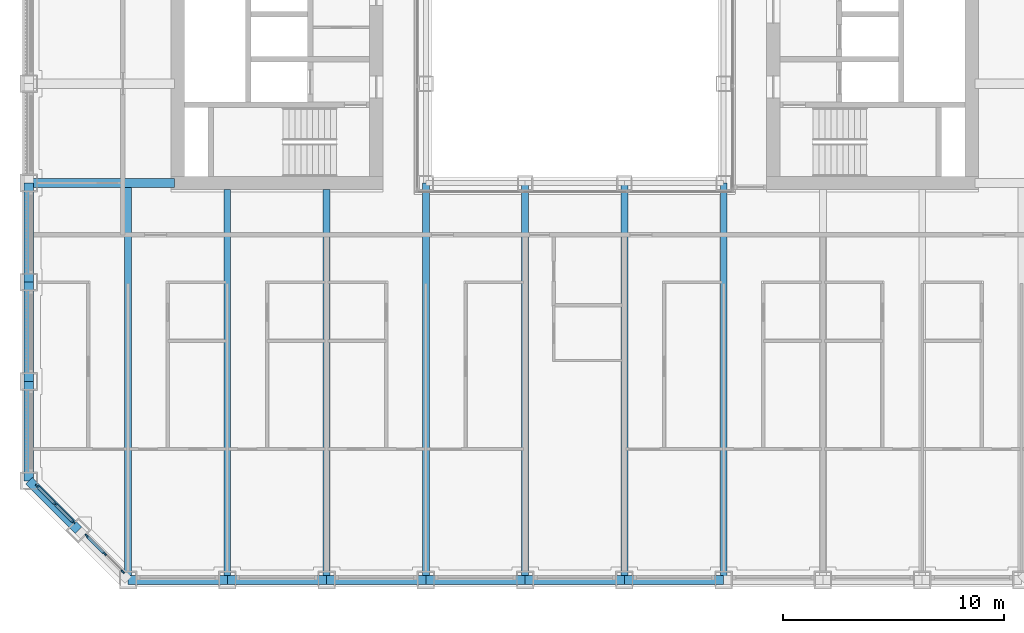
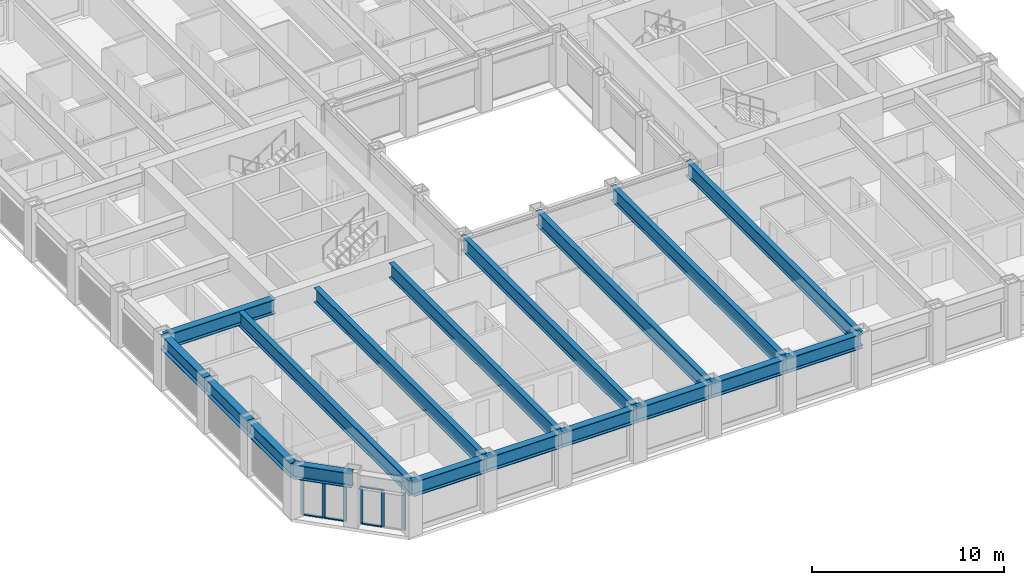
# One storey, part 2 of 21: 18 beams, 12 members, 2 elements without a shape of their own.
"""IFC4 building model written with IfcOpenShell, lengths in metres."""

from ifc_helpers import new_model, si_unit, direction, frame, origin, origin_2d, place, context, subcontext, project, spatial, rectangle, i_section, extrude, material, material_profile, profile_set, type_object, element, aggregate, save


model = new_model("IFC4")

# Units and contexts
model_context = context("Model", 3, precision=1e-05, world=origin(), true_north=direction((0.0, 1.0)))
body_context = subcontext(model_context, "Body", "Model", "MODEL_VIEW")
ifc_project = project(units=[si_unit("LENGTHUNIT", "METRE"), si_unit("AREAUNIT", "SQUARE_METRE"), si_unit("VOLUMEUNIT", "CUBIC_METRE"), si_unit("PLANEANGLEUNIT", "RADIAN"), si_unit("MASSUNIT", "GRAM", prefix="KILO")], contexts=[model_context])

# Site, building, storey
site_placement = place(None, origin())
site = spatial("IfcSite", under=ifc_project, at=site_placement, CompositionType="ELEMENT")
building_placement = place(site_placement, origin())
building = spatial("IfcBuilding", under=site, at=building_placement, Name="Msasa Ring Tower", CompositionType="ELEMENT")
storey_placement = place(building_placement, frame((0.0, 0.0, 72.0)))
storey = spatial("IfcBuildingStorey", under=building, at=storey_placement, Name="L18", CompositionType="ELEMENT", Elevation=72.0)

# Curtain wall, members
ifc_material_1 = material(Name="Aluminium curtain wall with clear glass", Category="aluminium")
curtain_wall_type = type_object("IfcCurtainWallType", Name="CW-C CHAMFER CORNER CURTAIN WALL", PredefinedType="NOTDEFINED", material=ifc_material_1)
curtain_wall_1_placement = place(storey_placement, origin())
curtain_wall_1 = element("IfcCurtainWall", 1, at=curtain_wall_1_placement, inside=storey, type_object=curtain_wall_type, Name="Chamfer corner curtain wall SW L18", PredefinedType="NOTDEFINED")
ifc_material_2 = material(Name="Aluminium mullion", Category="aluminium")
ifc_material_profile_1 = material_profile(ifc_material_2, rectangle(XDim=0.06494140625, YDim=0.179931640625, at=origin_2d()), Name="AL 65x180")
ifc_profile_set_1 = profile_set([ifc_material_profile_1], Name="Aluminium mullion")
member_type_1 = type_object("IfcMemberType", Name="CW-C MULLION 65x180", PredefinedType="MULLION", material=ifc_profile_set_1)
member_1_placement = place(storey_placement, frame((-24.369873046875, -20.48876953125, 0.0), z_axis=(0.0, 0.0, 1.0), x_axis=(0.707106781187, 0.707106781187, 0.0)))
member_1 = element("IfcMember", 2, at=member_1_placement, type_object=member_type_1, Name="CW-C mullion 1", PredefinedType="MULLION", context=body_context, shape_type="SweptSolid", body=[
    extrude(rectangle(XDim=0.06494140625, YDim=0.179931640625, at=origin_2d()), origin(), (0.0, 0.0, 1.0), 2.37890625),
])
member_2_placement = place(storey_placement, frame((-23.55419921875, -21.30419921875, 0.0), z_axis=(0.0, 0.0, 1.0), x_axis=(0.707106781187, 0.707106781187, 0.0)))
member_2 = element("IfcMember", 3, at=member_2_placement, type_object=member_type_1, Name="CW-C mullion 2", PredefinedType="MULLION", context=body_context, shape_type="SweptSolid", body=[
    extrude(rectangle(XDim=0.06494140625, YDim=0.179931640625, at=origin_2d()), origin(), (0.0, 0.0, 1.0), 2.37890625),
])
member_3_placement = place(storey_placement, frame((-22.73876953125, -22.119873046875, 0.0), z_axis=(0.0, 0.0, 1.0), x_axis=(0.707106781187, 0.707106781187, 0.0)))
member_3 = element("IfcMember", 4, at=member_3_placement, type_object=member_type_1, Name="CW-C mullion 3", PredefinedType="MULLION", context=body_context, shape_type="SweptSolid", body=[
    extrude(rectangle(XDim=0.06494140625, YDim=0.179931640625, at=origin_2d()), origin(), (0.0, 0.0, 1.0), 2.37890625),
])

curtain_wall_2_placement = place(storey_placement, origin())
curtain_wall_2 = element("IfcCurtainWall", 5, at=curtain_wall_2_placement, inside=storey, type_object=curtain_wall_type, Name="Chamfer corner curtain wall SW L18", PredefinedType="NOTDEFINED")
member_4_placement = place(storey_placement, frame((-22.119873046875, -22.73876953125, 0.0), z_axis=(0.0, 0.0, 1.0), x_axis=(0.707106781187, 0.707106781187, 0.0)))
member_4 = element("IfcMember", 6, at=member_4_placement, type_object=member_type_1, Name="CW-C mullion 1", PredefinedType="MULLION", context=body_context, shape_type="SweptSolid", body=[
    extrude(rectangle(XDim=0.06494140625, YDim=0.179931640625, at=origin_2d()), origin(), (0.0, 0.0, 1.0), 2.37890625),
])
member_5_placement = place(storey_placement, frame((-21.30419921875, -23.55419921875, 0.0), z_axis=(0.0, 0.0, 1.0), x_axis=(0.707106781187, 0.707106781187, 0.0)))
member_5 = element("IfcMember", 7, at=member_5_placement, type_object=member_type_1, Name="CW-C mullion 2", PredefinedType="MULLION", context=body_context, shape_type="SweptSolid", body=[
    extrude(rectangle(XDim=0.06494140625, YDim=0.179931640625, at=origin_2d()), origin(), (0.0, 0.0, 1.0), 2.37890625),
])
member_6_placement = place(storey_placement, frame((-20.48876953125, -24.369873046875, 0.0), z_axis=(0.0, 0.0, 1.0), x_axis=(0.707106781187, 0.707106781187, 0.0)))
member_6 = element("IfcMember", 8, at=member_6_placement, type_object=member_type_1, Name="CW-C mullion 3", PredefinedType="MULLION", context=body_context, shape_type="SweptSolid", body=[
    extrude(rectangle(XDim=0.06494140625, YDim=0.179931640625, at=origin_2d()), origin(), (0.0, 0.0, 1.0), 2.37890625),
])

# Member
ifc_material_3 = material(Name="Aluminium transom", Category="aluminium")
ifc_material_profile_2 = material_profile(ifc_material_3, rectangle(XDim=0.139892578125, YDim=0.06494140625, at=origin_2d()), Name="AL 65x140")
ifc_profile_set_2 = profile_set([ifc_material_profile_2], Name="Aluminium transom")
member_type_2 = type_object("IfcMemberType", Name="CW-C TRANSOM 65x140", PredefinedType="USERDEFINED", material=ifc_profile_set_2)
member_7_placement = place(storey_placement, frame((-24.346923828125, -20.51171875, 0.032470703125), z_axis=(0.707106781187, -0.707106781187, 0.0), x_axis=(0.707106781187, 0.707106781187, 0.0)))
member_7 = element("IfcMember", 9, at=member_7_placement, type_object=member_type_2, Name="CW-C transom 1.1", ObjectType="TRANSOM", PredefinedType="USERDEFINED", context=body_context, shape_type="SweptSolid", body=[
    extrude(rectangle(XDim=0.139892578125, YDim=0.06494140625, at=origin_2d()), origin(), (0.0, 0.0, 1.0), 1.08837890625),
])

member_8_placement = place(storey_placement, frame((-24.346923828125, -20.51171875, 2.346435546875), z_axis=(0.707106781187, -0.707106781187, 0.0), x_axis=(0.707106781187, 0.707106781187, 0.0)))
member_8 = element("IfcMember", 10, at=member_8_placement, type_object=member_type_2, Name="CW-C transom 1.2", ObjectType="TRANSOM", PredefinedType="USERDEFINED", context=body_context, shape_type="SweptSolid", body=[
    extrude(rectangle(XDim=0.139892578125, YDim=0.06494140625, at=origin_2d()), origin(), (0.0, 0.0, 1.0), 1.08837890625),
])

member_9_placement = place(storey_placement, frame((-23.53125, -21.327392578125, 0.032470703125), z_axis=(0.707106781187, -0.707106781187, 0.0), x_axis=(0.707106781187, 0.707106781187, 0.0)))
member_9 = element("IfcMember", 11, at=member_9_placement, type_object=member_type_2, Name="CW-C transom 2.1", ObjectType="TRANSOM", PredefinedType="USERDEFINED", context=body_context, shape_type="SweptSolid", body=[
    extrude(rectangle(XDim=0.139892578125, YDim=0.06494140625, at=origin_2d()), origin(), (0.0, 0.0, 1.0), 1.08837890625),
])

member_10_placement = place(storey_placement, frame((-23.53125, -21.327392578125, 2.346435546875), z_axis=(0.707106781187, -0.707106781187, 0.0), x_axis=(0.707106781187, 0.707106781187, 0.0)))
member_10 = element("IfcMember", 12, at=member_10_placement, type_object=member_type_2, Name="CW-C transom 2.2", ObjectType="TRANSOM", PredefinedType="USERDEFINED", context=body_context, shape_type="SweptSolid", body=[
    extrude(rectangle(XDim=0.139892578125, YDim=0.06494140625, at=origin_2d()), origin(), (0.0, 0.0, 1.0), 1.08837890625),
])

aggregate(curtain_wall_1, [member_1, member_2, member_3, member_7, member_8, member_9, member_10])

member_11_placement = place(storey_placement, frame((-22.096923828125, -22.76171875, 0.032470703125), z_axis=(0.707106781187, -0.707106781187, 0.0), x_axis=(0.707106781187, 0.707106781187, 0.0)))
member_11 = element("IfcMember", 13, at=member_11_placement, type_object=member_type_2, Name="CW-C transom 1.1", ObjectType="TRANSOM", PredefinedType="USERDEFINED", context=body_context, shape_type="SweptSolid", body=[
    extrude(rectangle(XDim=0.139892578125, YDim=0.06494140625, at=origin_2d()), origin(), (0.0, 0.0, 1.0), 1.08837890625),
])

member_12_placement = place(storey_placement, frame((-22.096923828125, -22.76171875, 2.346435546875), z_axis=(0.707106781187, -0.707106781187, 0.0), x_axis=(0.707106781187, 0.707106781187, 0.0)))
member_12 = element("IfcMember", 14, at=member_12_placement, type_object=member_type_2, Name="CW-C transom 1.2", ObjectType="TRANSOM", PredefinedType="USERDEFINED", context=body_context, shape_type="SweptSolid", body=[
    extrude(rectangle(XDim=0.139892578125, YDim=0.06494140625, at=origin_2d()), origin(), (0.0, 0.0, 1.0), 1.08837890625),
])

aggregate(curtain_wall_2, [member_4, member_5, member_6, member_11, member_12])

# Beams
ifc_material_4 = material(Name="Steel S355", Category="steel")
ifc_material_profile_3 = material_profile(ifc_material_4, i_section(OverallWidth=0.3076171875, OverallDepth=0.926513671875, WebThickness=0.01953125, FlangeThickness=0.031982421875, FilletRadius=0.01904296875, at=origin_2d()), Name="UB 914x305x289")
ifc_profile_set_3 = profile_set([ifc_material_profile_3], Name="Steel S355")
beam_type_1 = type_object("IfcBeamType", Name="FB3 UB 914x305x289", PredefinedType="BEAM", material=ifc_profile_set_3)
beam_1_placement = place(storey_placement, frame((-20.25, -24.75, 2.836669921875), z_axis=(0.0, 1.0, 0.0), x_axis=(-1.0, 0.0, 0.0)))
element("IfcBeam", 15, at=beam_1_placement, inside=storey, type_object=beam_type_1, Name="Floor beam S-20.25 under L19", PredefinedType="BEAM", context=body_context, shape_type="SweptSolid", body=[
    extrude(i_section(OverallWidth=0.3076171875, OverallDepth=0.926513671875, WebThickness=0.01953125, FlangeThickness=0.031982421875, FilletRadius=0.01904296875, at=origin_2d()), origin(), (0.0, 0.0, 1.0), 17.789794921875),
])
for number, where, z_axis, x_axis, name in (
    (16, (-15.75, -24.75, 2.836669921875), (0.0, 1.0, 0.0), (-1.0, 0.0, 0.0), "Floor beam S-15.75 under L19"),
    (17, (-11.25, -24.75, 2.836669921875), (0.0, 1.0, 0.0), (-1.0, 0.0, 0.0), "Floor beam S-11.25 under L19"),
):
    element("IfcBeam", number, at=place(storey_placement, frame(where, z_axis=z_axis, x_axis=x_axis)), inside=storey, type_object=beam_type_1, Name=name, PredefinedType="BEAM", context=body_context, shape_type="SweptSolid", body=[
        extrude(i_section(OverallWidth=0.3076171875, OverallDepth=0.926513671875, WebThickness=0.01953125, FlangeThickness=0.031982421875, FilletRadius=0.01904296875, at=origin_2d()), origin(), (0.0, 0.0, 1.0), 17.699951171875),
    ])
for number, where, z_axis, x_axis, name in (
    (18, (-6.75, -24.75, 2.836669921875), (0.0, 1.0, 0.0), (-1.0, 0.0, 0.0), "Floor beam S-6.75 under L19"),
    (19, (-2.25, -24.75, 2.836669921875), (0.0, 1.0, 0.0), (-1.0, 0.0, 0.0), "Floor beam S-2.25 under L19"),
    (20, (2.25, -24.75, 2.836669921875), (0.0, 1.0, 0.0), (-1.0, 0.0, 0.0), "Floor beam S+2.25 under L19"),
    (21, (6.75, -24.75, 2.836669921875), (0.0, 1.0, 0.0), (-1.0, 0.0, 0.0), "Floor beam S+6.75 under L19"),
):
    element("IfcBeam", number, at=place(storey_placement, frame(where, z_axis=z_axis, x_axis=x_axis)), inside=storey, type_object=beam_type_1, Name=name, PredefinedType="BEAM", context=body_context, shape_type="SweptSolid", body=[
        extrude(i_section(OverallWidth=0.3076171875, OverallDepth=0.926513671875, WebThickness=0.01953125, FlangeThickness=0.031982421875, FilletRadius=0.01904296875, at=origin_2d()), origin(), (0.0, 0.0, 1.0), 18.0),
    ])
ifc_material_5 = material(Name="Steel S355", Category="steel")
ifc_material_profile_4 = material_profile(ifc_material_5, i_section(OverallWidth=0.42041015625, OverallDepth=0.9208984375, WebThickness=0.021484375, FlangeThickness=0.03662109375, FilletRadius=0.024169921875, at=origin_2d()), Name="UB 914x419x388")
ifc_profile_set_4 = profile_set([ifc_material_profile_4], Name="Steel S355")
beam_type_2 = type_object("IfcBeamType", Name="GB1 UB 914x419x388", PredefinedType="BEAM", material=ifc_profile_set_4)
beam_2_placement = place(storey_placement, frame((-18.14990234375, -6.75, 2.839599609375), z_axis=(-1.0, 0.0, 0.0), x_axis=(0.0, -1.0, 0.0)))
element("IfcBeam", 22, at=beam_2_placement, inside=storey, type_object=beam_type_2, Name="Girder W -6.75 under L19", PredefinedType="BEAM", context=body_context, shape_type="SweptSolid", body=[
    extrude(i_section(OverallWidth=0.42041015625, OverallDepth=0.9208984375, WebThickness=0.021484375, FlangeThickness=0.03662109375, FilletRadius=0.024169921875, at=origin_2d()), origin(), (0.0, 0.0, 1.0), 6.60009765625),
])
ifc_material_6 = material(Name="Steel S355", Category="steel")
ifc_material_profile_5 = material_profile(ifc_material_6, i_section(OverallWidth=0.42041015625, OverallDepth=0.9208984375, WebThickness=0.021484375, FlangeThickness=0.03662109375, FilletRadius=0.024169921875, at=origin_2d()), Name="UB 914x419x388")
ifc_profile_set_5 = profile_set([ifc_material_profile_5], Name="Steel S355")
beam_type_3 = type_object("IfcBeamType", Name="SB1 UB 914x419x388", PredefinedType="SPANDREL", material=ifc_profile_set_5)
for number, where, z_axis, x_axis, name in (
    (23, (-24.75, -6.75, 2.839599609375), (0.0, -1.0, 0.0), (1.0, 0.0, 0.0), "Spandrel W-6.75 to W-11.25 under L19"),
    (24, (-24.75, -11.25, 2.839599609375), (0.0, -1.0, 0.0), (1.0, 0.0, 0.0), "Spandrel W-11.25 to W-15.75 under L19"),
    (25, (-24.75, -15.75, 2.839599609375), (0.0, -1.0, 0.0), (1.0, 0.0, 0.0), "Spandrel W-15.75 to W-20.25 under L19"),
):
    element("IfcBeam", number, at=place(storey_placement, frame(where, z_axis=z_axis, x_axis=x_axis)), inside=storey, type_object=beam_type_3, Name=name, PredefinedType="SPANDREL", context=body_context, shape_type="SweptSolid", body=[
        extrude(i_section(OverallWidth=0.42041015625, OverallDepth=0.9208984375, WebThickness=0.021484375, FlangeThickness=0.03662109375, FilletRadius=0.024169921875, at=origin_2d()), origin(), (0.0, 0.0, 1.0), 4.5),
    ])
beam_3_placement = place(storey_placement, frame((-24.75, -20.25, 2.839599609375), z_axis=(0.707106781187, -0.707106781187, 0.0), x_axis=(0.707106781187, 0.707106781187, 0.0)))
element("IfcBeam", 26, at=beam_3_placement, inside=storey, type_object=beam_type_3, Name="Spandrel W-20.25 to SW under L19", PredefinedType="SPANDREL", context=body_context, shape_type="SweptSolid", body=[
    extrude(i_section(OverallWidth=0.42041015625, OverallDepth=0.9208984375, WebThickness=0.021484375, FlangeThickness=0.03662109375, FilletRadius=0.024169921875, at=origin_2d()), origin(), (0.0, 0.0, 1.0), 3.181884765625),
])
for number, where, z_axis, x_axis, name in (
    (27, (-20.25, -24.75, 2.839599609375), (1.0, 0.0, 0.0), (0.0, 1.0, 0.0), "Spandrel S-20.25 to S-15.75 under L19"),
    (28, (-15.75, -24.75, 2.839599609375), (1.0, 0.0, 0.0), (0.0, 1.0, 0.0), "Spandrel S-15.75 to S-11.25 under L19"),
    (29, (-11.25, -24.75, 2.839599609375), (1.0, 0.0, 0.0), (0.0, 1.0, 0.0), "Spandrel S-11.25 to S-6.75 under L19"),
    (30, (-6.75, -24.75, 2.839599609375), (1.0, 0.0, 0.0), (0.0, 1.0, 0.0), "Spandrel S-6.75 to S-2.25 under L19"),
    (31, (-2.25, -24.75, 2.839599609375), (1.0, 0.0, 0.0), (0.0, 1.0, 0.0), "Spandrel S-2.25 to S+2.25 under L19"),
    (32, (2.25, -24.75, 2.839599609375), (1.0, 0.0, 0.0), (0.0, 1.0, 0.0), "Spandrel S+2.25 to S+6.75 under L19"),
):
    element("IfcBeam", number, at=place(storey_placement, frame(where, z_axis=z_axis, x_axis=x_axis)), inside=storey, type_object=beam_type_3, Name=name, PredefinedType="SPANDREL", context=body_context, shape_type="SweptSolid", body=[
        extrude(i_section(OverallWidth=0.42041015625, OverallDepth=0.9208984375, WebThickness=0.021484375, FlangeThickness=0.03662109375, FilletRadius=0.024169921875, at=origin_2d()), origin(), (0.0, 0.0, 1.0), 4.5),
    ])

save(model, "model.ifc")
